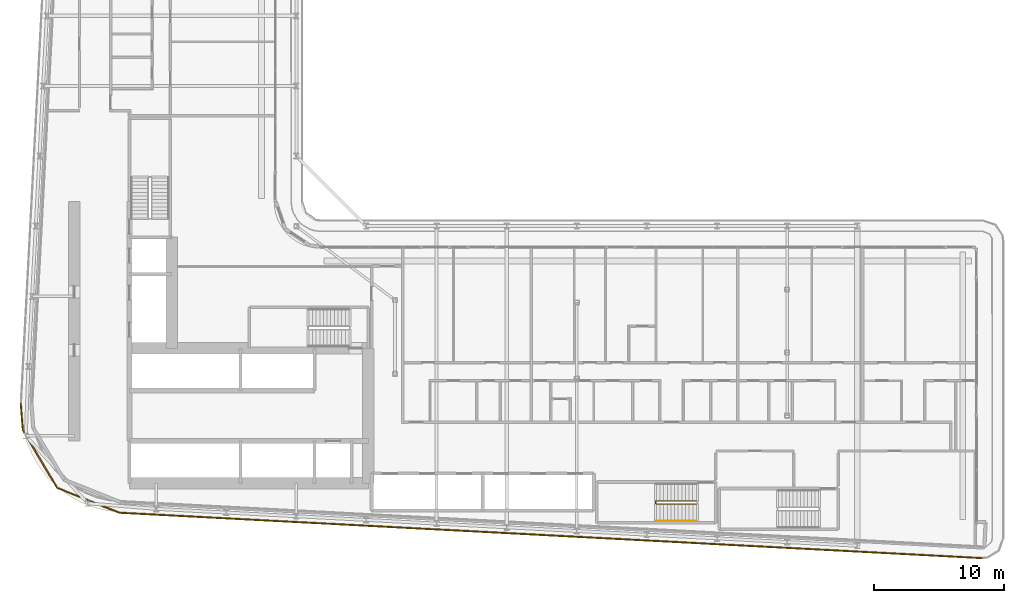
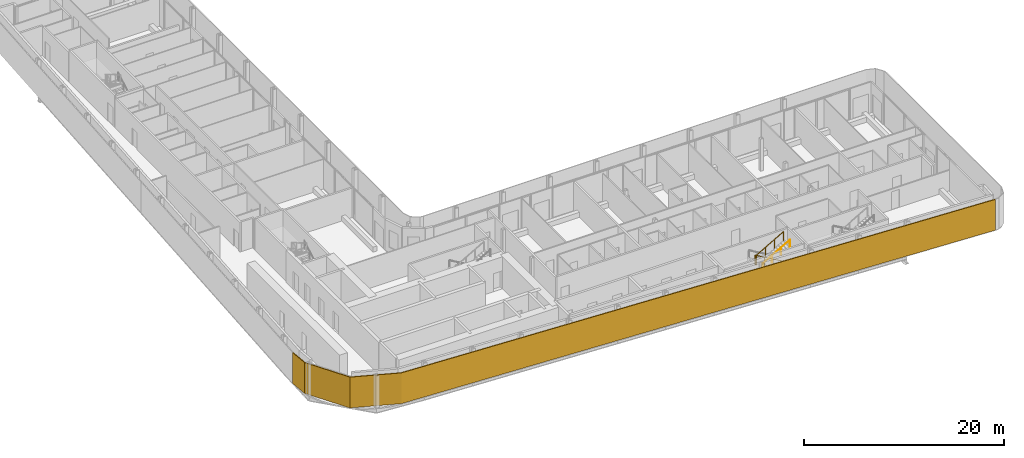
# One storey, part 24 of 28: 2 railings, 1 shading device.
"""IFC4 building model written with IfcOpenShell, lengths in metres."""

from ifc_helpers import new_model, si_unit, direction, frame, origin, origin_2d, place, context, subcontext, project, spatial, polyline, circle, outline, extrude, material, layer, layer_set, type_object, element, save


model = new_model("IFC4")

# Units and contexts
model_context = context("Model", 3, precision=1e-05, world=origin(), true_north=direction((0.0, 1.0)))
body_context = subcontext(model_context, "Body", "Model", "MODEL_VIEW")
ifc_project = project(units=[si_unit("LENGTHUNIT", "METRE"), si_unit("AREAUNIT", "SQUARE_METRE"), si_unit("VOLUMEUNIT", "CUBIC_METRE"), si_unit("PLANEANGLEUNIT", "RADIAN"), si_unit("MASSUNIT", "GRAM", prefix="KILO")], contexts=[model_context])

# Site, building, storey
site_placement = place(None, origin())
site = spatial("IfcSite", under=ifc_project, at=site_placement, CompositionType="ELEMENT")
building_placement = place(site_placement, origin())
building = spatial("IfcBuilding", under=site, at=building_placement, Name="Kheshtan School and Residences Tower", CompositionType="ELEMENT")
storey_placement = place(building_placement, frame((0.0, 0.0, 125.300048828125)))
storey = spatial("IfcBuildingStorey", under=building, at=storey_placement, Name="L29", CompositionType="ELEMENT", Elevation=125.300048828125)

# Shading device
ifc_material_1 = material(Name="Terracotta baguette, extruded ceramic", Category="masonry")
ifc_layer = layer(ifc_material_1, 0.10009765625)
ifc_layer_set = layer_set([ifc_layer], Name="Ledge screen, terracotta baguettes")
shading_device_type = type_object("IfcShadingDeviceType", Name="Ledge screen, terracotta baguettes", PredefinedType="USERDEFINED", material=ifc_layer_set)
shading_device_placement = place(storey_placement, origin())
element("IfcShadingDevice", 1, at=shading_device_placement, inside=storey, type_object=shading_device_type, Name="Screen L29 3", ObjectType="BAGUETTE", PredefinedType="USERDEFINED", context=body_context, shape_type="SweptSolid", body=[
    extrude(outline(polyline([(100.4208984375, 20.0830078125), (33.989013671875, 23.580078125), (29.2119140625, 25.486083984375), (26.583984375, 29.906982421875), (26.419921875, 31.989013671875), (26.320068359375, 31.98095703125), (26.486083984375, 29.8759765625), (29.14306640625, 25.406005859375), (33.967041015625, 23.48095703125), (100.416015625, 19.98291015625), (100.4208984375, 20.0830078125)])), origin(), (0.0, 0.0, 1.0), 3.75),
])

# Railings
ifc_material_2 = material(Name="Stainless steel balustrade", Category="steel")
railing_type_1 = type_object("IfcRailingType", Name="Stair guard 1100", PredefinedType="GUARDRAIL", material=ifc_material_2)
railing_1_placement = place(storey_placement, frame((78.409912109375, 24.449951171875, 0.162353515625)))
element("IfcRailing", 2, at=railing_1_placement, inside=storey, type_object=railing_type_1, Name="L29 ST5 stair guard 1", PredefinedType="GUARDRAIL", context=body_context, shape_type="SweptSolid", body=[
    extrude(circle(Radius=0.02392578125, at=origin_2d()), frame((0.0, 0.0, 1.076171875), z_axis=(-0.864873446163, 0.0, 0.501989962173), x_axis=(0.0, -1.0, 0.0)), (0.0, 0.0, 1.0), 3.56103515625),
    extrude(circle(Radius=0.02392578125, at=origin_2d()), frame((-3.079833984375, 0.0, 2.86376953125), z_axis=(-0.707106781187, -0.707106781187, 0.0), x_axis=(0.707106781187, -0.707106781187, 0.0)), (0.0, 0.0, 1.0), 0.07080078125),
    extrude(circle(Radius=0.02392578125, at=origin_2d()), frame((-3.1298828125, -0.050048828125, 2.86376953125), z_axis=(0.0, -1.0, 0.0), x_axis=(1.0, 0.0, 0.0)), (0.0, 0.0, 1.0), 0.14990234375),
    extrude(circle(Radius=0.02392578125, at=origin_2d()), frame((-3.1298828125, -0.199951171875, 2.86376953125), z_axis=(0.282227285176, -0.282227285176, 0.916894497205), x_axis=(0.707106781187, 0.707106781187, 0.0)), (0.0, 0.0, 1.0), 0.17724609375),
    extrude(circle(Radius=0.02392578125, at=origin_2d()), frame((-3.079833984375, -0.25, 3.0263671875), z_axis=(0.864903211148, 0.0, 0.501938676878), x_axis=(0.0, 1.0, 0.0)), (0.0, 0.0, 1.0), 3.560791015625),
    extrude(circle(Radius=0.02099609375, at=origin_2d()), origin(), (0.0, 0.0, 1.0), 1.052001953125),
    extrude(circle(Radius=0.02099609375, at=origin_2d()), frame((-1.026611328125, 0.0, 0.595947265625)), (0.0, 0.0, 1.0), 1.052001953125),
    extrude(circle(Radius=0.02099609375, at=origin_2d()), frame((-2.05322265625, 0.0, 1.191650390625)), (0.0, 0.0, 1.0), 1.052001953125),
    extrude(circle(Radius=0.02099609375, at=origin_2d()), frame((-3.079833984375, 0.0, 1.78759765625)), (0.0, 0.0, 1.0), 1.052001953125),
    extrude(circle(Radius=0.02099609375, at=origin_2d()), frame((-3.1298828125, -0.050048828125, 1.78759765625)), (0.0, 0.0, 1.0), 1.052001953125),
    extrude(circle(Radius=0.02099609375, at=origin_2d()), frame((-3.1298828125, -0.199951171875, 1.78759765625)), (0.0, 0.0, 1.0), 1.052001953125),
    extrude(circle(Radius=0.02099609375, at=origin_2d()), frame((-3.079833984375, -0.25, 1.9501953125)), (0.0, 0.0, 1.0), 1.052001953125),
    extrude(circle(Radius=0.02099609375, at=origin_2d()), frame((-2.05322265625, -0.25, 2.5458984375)), (0.0, 0.0, 1.0), 1.052001953125),
    extrude(circle(Radius=0.02099609375, at=origin_2d()), frame((-1.026611328125, -0.25, 3.141845703125)), (0.0, 0.0, 1.0), 1.052001953125),
    extrude(circle(Radius=0.02099609375, at=origin_2d()), frame((0.0, -0.25, 3.737548828125)), (0.0, 0.0, 1.0), 1.052001953125),
])
ifc_material_3 = material(Name="Stainless steel handrail", Category="steel")
railing_type_2 = type_object("IfcRailingType", Name="Stair handrail 900", PredefinedType="HANDRAIL", material=ifc_material_3)
railing_2_placement = place(storey_placement, frame((75.330078125, 22.89990234375, 2.112548828125)))
element("IfcRailing", 3, at=railing_2_placement, inside=storey, type_object=railing_type_2, Name="L29 ST5 stair handrail 2", PredefinedType="HANDRAIL", context=body_context, shape_type="SweptSolid", body=[
    extrude(circle(Radius=0.02392578125, at=origin_2d()), frame((0.0, 0.0, 0.8759765625), z_axis=(0.864903211148, 0.0, 0.501938676878), x_axis=(0.0, 1.0, 0.0)), (0.0, 0.0, 1.0), 3.560791015625),
    extrude(circle(Radius=0.02099609375, at=origin_2d()), origin(), (0.0, 0.0, 1.0), 0.851806640625),
    extrude(circle(Radius=0.02099609375, at=origin_2d()), frame((1.026611328125, 0.0, 0.595703125)), (0.0, 0.0, 1.0), 0.851806640625),
    extrude(circle(Radius=0.02099609375, at=origin_2d()), frame((2.05322265625, 0.0, 1.191650390625)), (0.0, 0.0, 1.0), 0.851806640625),
    extrude(circle(Radius=0.02099609375, at=origin_2d()), frame((3.079833984375, 0.0, 1.787353515625)), (0.0, 0.0, 1.0), 0.851806640625),
])

save(model, "model.ifc")
